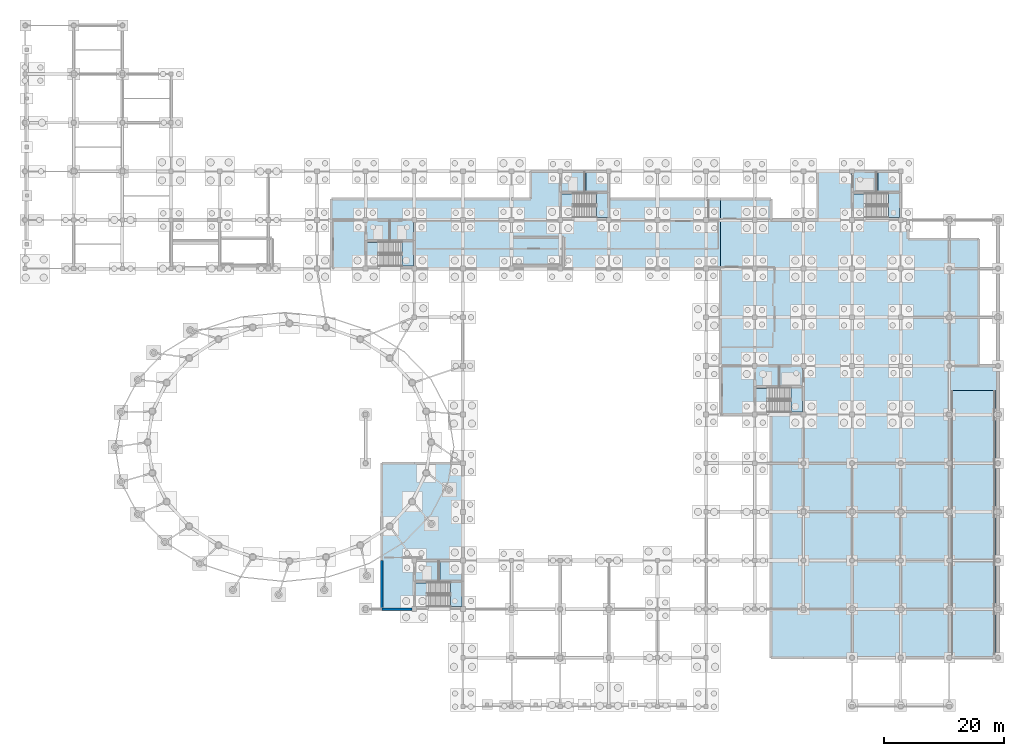
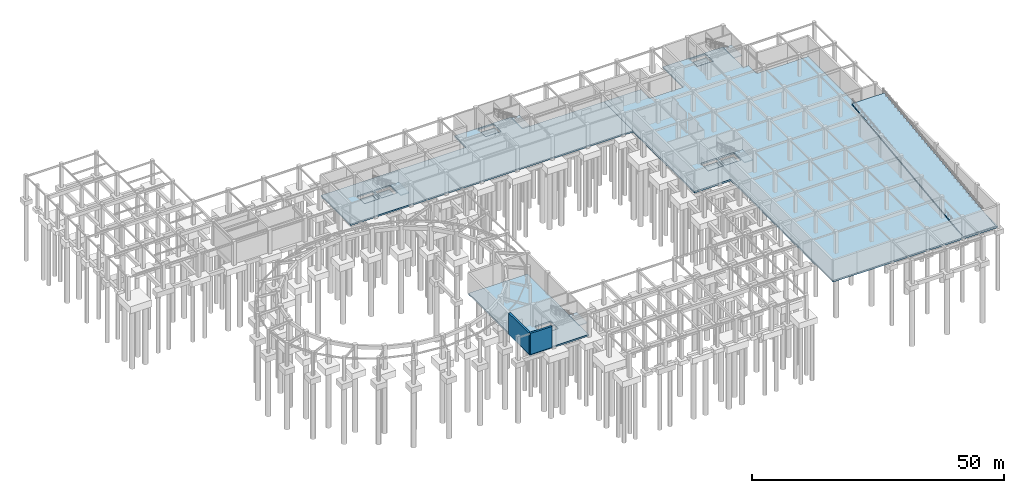
# One storey, part 16 of 26: 16 slabs, 2 walls, 5 elements without a shape of their own.
"""IFC4 building model written with IfcOpenShell, lengths in metres."""

from ifc_helpers import new_model, si_unit, direction, frame, frame_2d, origin, place, context, subcontext, project, spatial, polyline, rectangle, outline, extrude, material, layer, layer_set, type_object, element, aggregate, save


model = new_model("IFC4")

# Units and contexts
model_context = context("Model", 3, precision=1e-05, world=origin(), true_north=direction((0.0, 1.0)))
body_context = subcontext(model_context, "Body", "Model", "MODEL_VIEW")
ifc_project = project(units=[si_unit("LENGTHUNIT", "METRE"), si_unit("AREAUNIT", "SQUARE_METRE"), si_unit("VOLUMEUNIT", "CUBIC_METRE"), si_unit("PLANEANGLEUNIT", "RADIAN"), si_unit("MASSUNIT", "GRAM", prefix="KILO")], contexts=[model_context])

# Site, building, storey
site_placement = place(None, origin())
site = spatial("IfcSite", under=ifc_project, at=site_placement, CompositionType="ELEMENT")
building_placement = place(site_placement, origin())
building = spatial("IfcBuilding", under=site, at=building_placement, Name="Parian Resonance Hall", CompositionType="ELEMENT")
storey_placement = place(building_placement, frame((0.0, 0.0, -5.39990234375)))
storey = spatial("IfcBuildingStorey", under=building, at=storey_placement, Name="B1", CompositionType="ELEMENT", Elevation=-5.39990234375)

# Slabs
ifc_material_1 = material(Name="Concrete C35/45", Category="concrete")
ifc_layer_1 = layer(ifc_material_1, 0.360107421875)
ifc_layer_set_1 = layer_set([ifc_layer_1], Name="Concrete C35/45")
slab_type_1 = type_object("IfcSlabType", Name="SLB-B1-360", PredefinedType="BASESLAB", material=ifc_layer_set_1)
slab_1_placement = place(storey_placement, frame((0.0, 0.0, -0.360107421875)))
element("IfcSlab", 1, at=slab_1_placement, inside=storey, type_object=slab_type_1, Name="Basement B1 north acoustic plenum and service slab", PredefinedType="BASESLAB", context=body_context, shape_type="SweptSolid", body=[
    extrude(outline(polyline([(115.800048828125, 84.5), (97.199951171875, 84.5), (97.199951171875, 89.10009765625), (84.199951171875, 89.10009765625), (84.199951171875, 84.5), (51.0, 84.5), (51.0, 72.89990234375), (115.800048828125, 72.89990234375), (115.800048828125, 84.5)]), holes=[polyline([(56.93994140625, 80.699951171875), (60.60009765625, 80.699951171875), (60.60009765625, 77.64990234375), (56.93994140625, 77.64990234375), (56.93994140625, 80.699951171875)]), polyline([(64.56005859375, 80.699951171875), (64.56005859375, 77.64990234375), (60.89990234375, 77.64990234375), (60.89990234375, 80.699951171875), (64.56005859375, 80.699951171875)]), polyline([(93.0, 88.800048828125), (93.0, 85.75), (89.340087890625, 85.75), (89.340087890625, 88.800048828125), (93.0, 88.800048828125)])]), origin(), (0.0, 0.0, 1.0), 0.360107421875),
])
slab_2_placement = place(storey_placement, frame((0.0, 0.0, -0.360107421875)))
element("IfcSlab", 2, at=slab_2_placement, inside=storey, type_object=slab_type_1, Name="Basement B1 main hall sub-stage spine slab", PredefinedType="BASESLAB", context=body_context, shape_type="SweptSolid", body=[
    extrude(outline(polyline([(59.39990234375, 16.199951171875), (72.89990234375, 16.199951171875), (72.89990234375, 40.5), (59.39990234375, 40.5), (59.39990234375, 16.199951171875)]), holes=[polyline([(65.0400390625, 20.949951171875), (65.0400390625, 24.0), (68.699951171875, 24.0), (68.699951171875, 20.949951171875), (65.0400390625, 20.949951171875)])]), origin(), (0.0, 0.0, 1.0), 0.360107421875),
])
ifc_material_2 = material(Name="Concrete C35/45", Category="concrete")
ifc_layer_2 = layer(ifc_material_2, 0.39990234375)
ifc_layer_set_2 = layer_set([ifc_layer_2], Name="Concrete C35/45")
slab_type_2 = type_object("IfcSlabType", Name="SLB-B1-400", PredefinedType="BASESLAB", material=ifc_layer_set_2)
slab_3_placement = place(storey_placement, frame((0.0, 0.0, -0.400146484375)))
element("IfcSlab", 3, at=slab_3_placement, inside=storey, type_object=slab_type_2, Name="Basement B1 parking and plant slab", PredefinedType="BASESLAB", context=body_context, shape_type="SweptSolid", body=[
    extrude(outline(polyline([(162.0, 8.10009765625), (162.0, 56.699951171875), (158.800048828125, 56.699951171875), (158.800048828125, 77.800048828125), (147.0, 77.800048828125), (147.0, 81.0), (145.800048828125, 81.0), (145.800048828125, 89.10009765625), (132.0, 89.10009765625), (132.0, 81.0), (124.199951171875, 81.0), (124.199951171875, 84.5), (115.800048828125, 84.5), (115.800048828125, 48.60009765625), (124.199951171875, 48.60009765625), (124.199951171875, 8.10009765625), (162.0, 8.10009765625)]), holes=[polyline([(121.739990234375, 56.39990234375), (125.39990234375, 56.39990234375), (125.39990234375, 53.35009765625), (121.739990234375, 53.35009765625), (121.739990234375, 56.39990234375)]), polyline([(129.360107421875, 56.39990234375), (129.360107421875, 53.35009765625), (125.699951171875, 53.35009765625), (125.699951171875, 56.39990234375), (129.360107421875, 56.39990234375)]), polyline([(141.60009765625, 88.800048828125), (141.60009765625, 85.75), (137.93994140625, 85.75), (137.93994140625, 88.800048828125), (141.60009765625, 88.800048828125)])]), origin(), (0.0, 0.0, 1.0), 0.400146484375),
])

# Stair, slab
ifc_material_3 = material(Name="Concrete C40/50", Category="concrete")
stair_type_1 = type_object("IfcStairType", Name="STAIR-CORE-1850", PredefinedType="HALF_TURN_STAIR", material=ifc_material_3)
stair_1_placement = place(storey_placement, origin())
stair_1 = element("IfcStair", 4, at=stair_1_placement, inside=storey, type_object=stair_type_1, Name="B1 ST-01", PredefinedType="HALF_TURN_STAIR")
ifc_material_4 = material(Name="Concrete C40/50", Category="concrete")
ifc_layer_3 = layer(ifc_material_4, 0.199951171875)
ifc_layer_set_3 = layer_set([ifc_layer_3], Name="Concrete C40/50")
slab_type_3 = type_object("IfcSlabType", Name="SLB-LANDING-200", PredefinedType="LANDING", material=ifc_layer_set_3)
slab_4_placement = place(storey_placement, frame((0.0, 0.0, 2.5)))
slab_4 = element("IfcSlab", 5, at=slab_4_placement, type_object=slab_type_3, Name="ST-01 landing 1", PredefinedType="LANDING", context=body_context, shape_type="SweptSolid", body=[
    extrude(outline(polyline([(62.760009765625, 73.300048828125), (64.659912109375, 73.300048828125), (64.659912109375, 77.39990234375), (62.760009765625, 77.39990234375), (62.760009765625, 73.300048828125)])), origin(), (0.0, 0.0, 1.0), 0.199951171875),
])
aggregate(stair_1, [slab_4])

stair_2_placement = place(storey_placement, origin())
stair_2 = element("IfcStair", 6, at=stair_2_placement, inside=storey, type_object=stair_type_1, Name="B1 ST-02", PredefinedType="HALF_TURN_STAIR")
slab_5_placement = place(storey_placement, frame((0.0, 0.0, 2.5)))
slab_5 = element("IfcSlab", 7, at=slab_5_placement, type_object=slab_type_3, Name="ST-02 landing 1", PredefinedType="LANDING", context=body_context, shape_type="SweptSolid", body=[
    extrude(outline(polyline([(127.56005859375, 49.0), (129.4599609375, 49.0), (129.4599609375, 53.10009765625), (127.56005859375, 53.10009765625), (127.56005859375, 49.0)])), origin(), (0.0, 0.0, 1.0), 0.199951171875),
])
aggregate(stair_2, [slab_5])

stair_3_placement = place(storey_placement, origin())
stair_3 = element("IfcStair", 8, at=stair_3_placement, inside=storey, type_object=stair_type_1, Name="B1 ST-03", PredefinedType="HALF_TURN_STAIR")
slab_6_placement = place(storey_placement, frame((0.0, 0.0, 2.5)))
slab_6 = element("IfcSlab", 9, at=slab_6_placement, type_object=slab_type_3, Name="ST-03 landing 1", PredefinedType="LANDING", context=body_context, shape_type="SweptSolid", body=[
    extrude(outline(polyline([(70.860107421875, 16.60009765625), (72.760009765625, 16.60009765625), (72.760009765625, 20.699951171875), (70.860107421875, 20.699951171875), (70.860107421875, 16.60009765625)])), origin(), (0.0, 0.0, 1.0), 0.199951171875),
])
aggregate(stair_3, [slab_6])

ifc_material_5 = material(Name="Concrete C40/50", Category="concrete")
stair_type_2 = type_object("IfcStairType", Name="STAIR-CORE-1800", PredefinedType="HALF_TURN_STAIR", material=ifc_material_5)
stair_4_placement = place(storey_placement, origin())
stair_4 = element("IfcStair", 10, at=stair_4_placement, inside=storey, type_object=stair_type_2, Name="B1 ST-05", PredefinedType="HALF_TURN_STAIR")
slab_7_placement = place(storey_placement, frame((0.0, 0.0, 2.5)))
slab_7 = element("IfcSlab", 11, at=slab_7_placement, type_object=slab_type_3, Name="ST-05 landing 1", PredefinedType="LANDING", context=body_context, shape_type="SweptSolid", body=[
    extrude(outline(polyline([(95.139892578125, 81.39990234375), (97.02001953125, 81.39990234375), (97.02001953125, 85.4599609375), (95.139892578125, 85.4599609375), (95.139892578125, 81.39990234375)])), origin(), (0.0, 0.0, 1.0), 0.199951171875),
])
aggregate(stair_4, [slab_7])

stair_5_placement = place(storey_placement, origin())
stair_5 = element("IfcStair", 12, at=stair_5_placement, inside=storey, type_object=stair_type_2, Name="B1 ST-06", PredefinedType="HALF_TURN_STAIR")
slab_8_placement = place(storey_placement, frame((0.0, 0.0, 2.5)))
slab_8 = element("IfcSlab", 13, at=slab_8_placement, type_object=slab_type_3, Name="ST-06 landing 1", PredefinedType="LANDING", context=body_context, shape_type="SweptSolid", body=[
    extrude(outline(polyline([(143.739990234375, 81.39990234375), (145.6201171875, 81.39990234375), (145.6201171875, 85.4599609375), (143.739990234375, 85.4599609375), (143.739990234375, 81.39990234375)])), origin(), (0.0, 0.0, 1.0), 0.199951171875),
])
aggregate(stair_5, [slab_8])

# Slabs
ifc_material_6 = material(Name="Concrete C35/45", Category="concrete")
ifc_layer_4 = layer(ifc_material_6, 0.35009765625)
ifc_layer_set_4 = layer_set([ifc_layer_4], Name="Concrete C35/45")
slab_type_4 = type_object("IfcSlabType", Name="SLB-PIT-350", PredefinedType="BASESLAB", material=ifc_layer_set_4)
slab_9_placement = place(storey_placement, frame((0.0, 0.0, -1.7001953125)))
element("IfcSlab", 14, at=slab_9_placement, inside=storey, type_object=slab_type_4, Name="Lift pit base slab K1-1", PredefinedType="BASESLAB", context=body_context, shape_type="SweptSolid", body=[
    extrude(outline(polyline([(56.820068359375, 77.22998046875), (60.719970703125, 77.22998046875), (60.719970703125, 81.1201171875), (56.820068359375, 81.1201171875), (56.820068359375, 77.22998046875)])), origin(), (0.0, 0.0, 1.0), 0.35009765625),
])
slab_10_placement = place(storey_placement, frame((0.0, 0.0, -1.7001953125)))
element("IfcSlab", 15, at=slab_10_placement, inside=storey, type_object=slab_type_4, Name="Lift pit base slab K1-2", PredefinedType="BASESLAB", context=body_context, shape_type="SweptSolid", body=[
    extrude(outline(polyline([(60.780029296875, 77.22998046875), (64.679931640625, 77.22998046875), (64.679931640625, 81.1201171875), (60.780029296875, 81.1201171875), (60.780029296875, 77.22998046875)])), origin(), (0.0, 0.0, 1.0), 0.35009765625),
])
slab_11_placement = place(storey_placement, frame((0.0, 0.0, -1.7001953125)))
element("IfcSlab", 16, at=slab_11_placement, inside=storey, type_object=slab_type_4, Name="Lift pit base slab K2-1", PredefinedType="BASESLAB", context=body_context, shape_type="SweptSolid", body=[
    extrude(outline(polyline([(121.6201171875, 52.929931640625), (125.52001953125, 52.929931640625), (125.52001953125, 56.820068359375), (121.6201171875, 56.820068359375), (121.6201171875, 52.929931640625)])), origin(), (0.0, 0.0, 1.0), 0.35009765625),
])
slab_12_placement = place(storey_placement, frame((0.0, 0.0, -1.7001953125)))
element("IfcSlab", 17, at=slab_12_placement, inside=storey, type_object=slab_type_4, Name="Lift pit base slab K2-2", PredefinedType="BASESLAB", context=body_context, shape_type="SweptSolid", body=[
    extrude(outline(polyline([(125.580078125, 52.929931640625), (129.47998046875, 52.929931640625), (129.47998046875, 56.820068359375), (125.580078125, 56.820068359375), (125.580078125, 52.929931640625)])), origin(), (0.0, 0.0, 1.0), 0.35009765625),
])
slab_13_placement = place(storey_placement, frame((0.0, 0.0, -1.7001953125)))
element("IfcSlab", 18, at=slab_13_placement, inside=storey, type_object=slab_type_4, Name="Lift pit base slab K3-1", PredefinedType="BASESLAB", context=body_context, shape_type="SweptSolid", body=[
    extrude(outline(polyline([(64.6201171875, 20.530029296875), (69.1201171875, 20.530029296875), (69.1201171875, 24.419921875), (64.6201171875, 24.419921875), (64.6201171875, 20.530029296875)])), origin(), (0.0, 0.0, 1.0), 0.35009765625),
])
slab_14_placement = place(storey_placement, frame((0.0, 0.0, -1.7001953125)))
element("IfcSlab", 19, at=slab_14_placement, inside=storey, type_object=slab_type_4, Name="Lift pit base slab K5-1", PredefinedType="BASESLAB", context=body_context, shape_type="SweptSolid", body=[
    extrude(outline(polyline([(88.919921875, 85.330078125), (93.419921875, 85.330078125), (93.419921875, 89.219970703125), (88.919921875, 89.219970703125), (88.919921875, 85.330078125)])), origin(), (0.0, 0.0, 1.0), 0.35009765625),
])
slab_15_placement = place(storey_placement, frame((0.0, 0.0, -1.7001953125)))
element("IfcSlab", 20, at=slab_15_placement, inside=storey, type_object=slab_type_4, Name="Lift pit base slab K6-1", PredefinedType="BASESLAB", context=body_context, shape_type="SweptSolid", body=[
    extrude(outline(polyline([(137.52001953125, 85.330078125), (142.02001953125, 85.330078125), (142.02001953125, 89.219970703125), (137.52001953125, 89.219970703125), (137.52001953125, 85.330078125)])), origin(), (0.0, 0.0, 1.0), 0.35009765625),
])
ifc_material_7 = material(Name="Concrete C40/50", Category="concrete")
ifc_layer_5 = layer(ifc_material_7, 0.300048828125)
ifc_layer_set_5 = layer_set([ifc_layer_5], Name="Concrete C40/50")
slab_type_5 = type_object("IfcSlabType", Name="SLB-VRAMP-300", PredefinedType="FLOOR", material=ifc_layer_set_5)
slab_16_placement = place(storey_placement, frame((154.25, 8.300048828125, 0.0), z_axis=(0.0, -0.12099823596, 0.992652722202), x_axis=(1.0, 0.0, 0.0)))
element("IfcSlab", 21, at=slab_16_placement, inside=storey, type_object=slab_type_5, Name="Car park structural vehicle ramp slab VR-01", PredefinedType="FLOOR", context=body_context, shape_type="SweptSolid", body=[
    extrude(outline(polyline([(0.0, 0.0), (7.39990234375, 0.0), (7.39990234375, 44.627942720859274), (0.0, 44.627942720859274), (0.0, 0.0)])), origin(), (0.0, 0.0, -1.0), 0.300048828125),
])

# Walls
ifc_material_8 = material(Name="Concrete C35/45 waterproofed retaining wall", Category="concrete")
ifc_layer_6 = layer(ifc_material_8, 0.449951171875)
ifc_layer_set_6 = layer_set([ifc_layer_6], Name="Concrete C35/45 waterproofed retaining wall")
wall_type = type_object("IfcWallType", Name="EW-RET-450", PredefinedType="USERDEFINED", material=ifc_layer_set_6)
wall_1_placement = place(storey_placement, frame((59.39990234375, 24.300048828125, 0.0), z_axis=(0.0, 0.0, 1.0), x_axis=(0.0, -1.0, 0.0)))
element("IfcWall", 22, at=wall_1_placement, inside=storey, type_object=wall_type, Name="Perimeter closure wall B1", ObjectType="RETAINING WALL", PredefinedType="USERDEFINED", context=body_context, shape_type="SweptSolid", body=[
    extrude(rectangle(XDim=8.10009765625, YDim=0.449951171875, at=frame_2d((4.050048828125, 0.0))), origin(), (0.0, 0.0, 1.0), 5.099853515625),
])
wall_2_placement = place(storey_placement, frame((59.39990234375, 16.199951171875, 0.0), z_axis=(0.0, 0.0, 1.0), x_axis=(1.0, 0.0, 0.0)))
element("IfcWall", 23, at=wall_2_placement, inside=storey, type_object=wall_type, Name="Perimeter closure wall B1", ObjectType="RETAINING WALL", PredefinedType="USERDEFINED", context=body_context, shape_type="SweptSolid", body=[
    extrude(rectangle(XDim=5.0, YDim=0.449951171875, at=frame_2d((2.5, 0.0))), origin(), (0.0, 0.0, 1.0), 5.099853515625),
])

save(model, "model.ifc")
